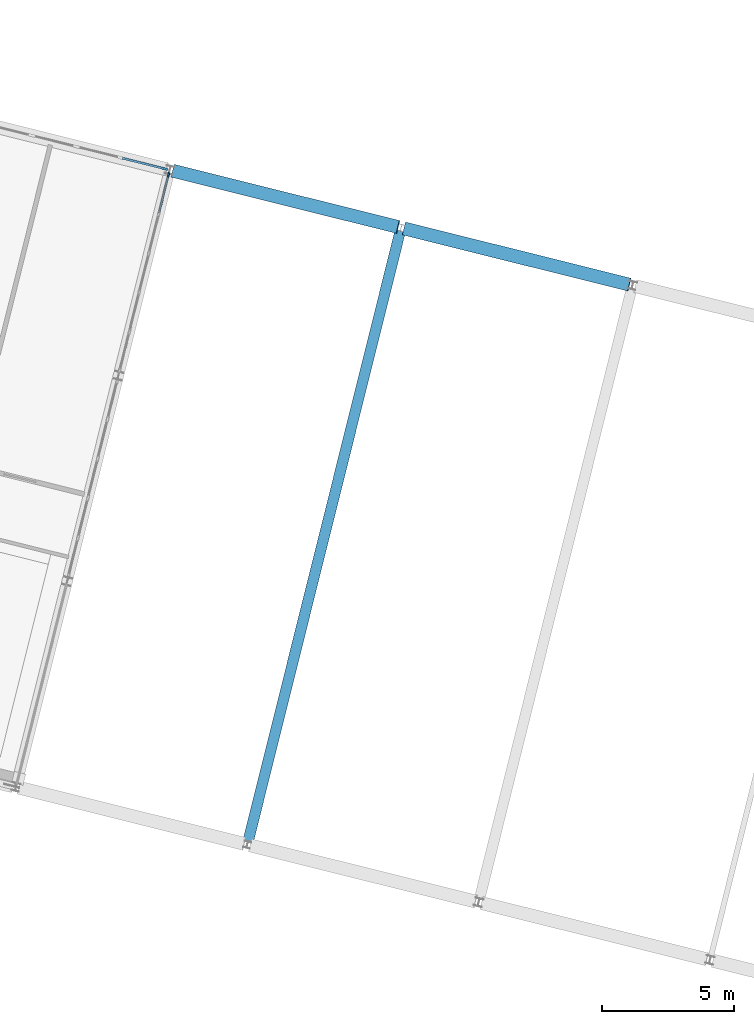
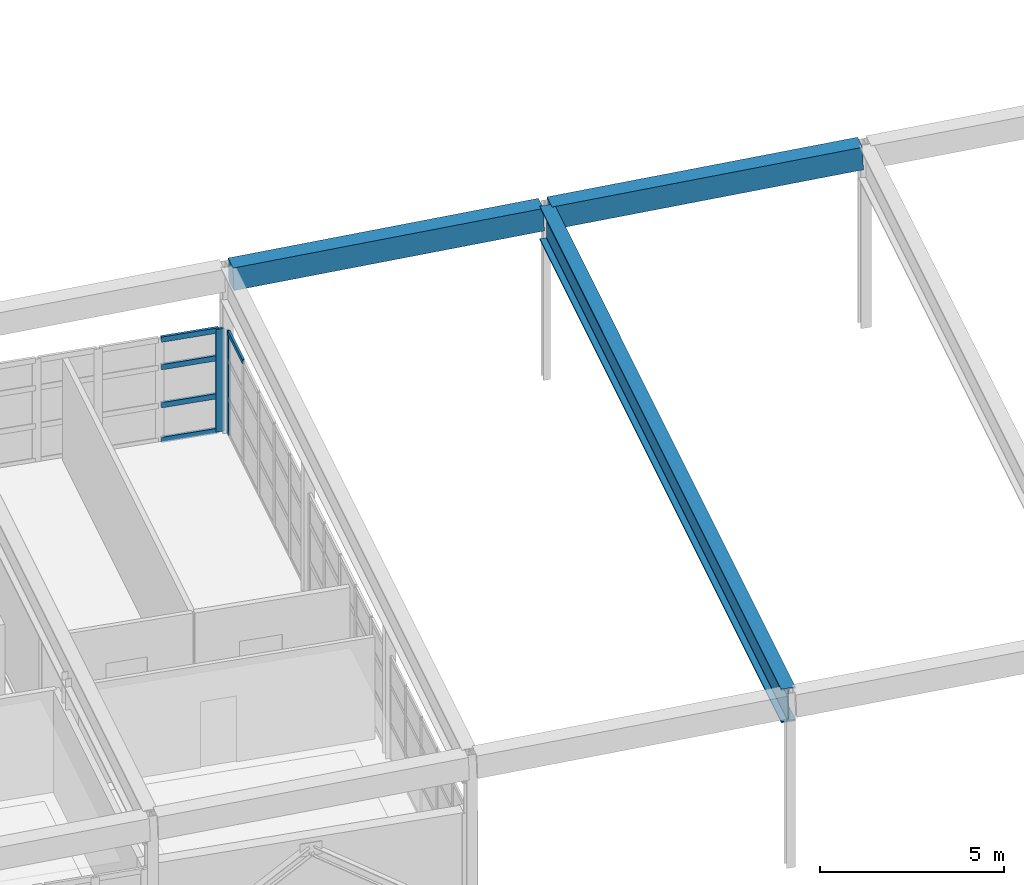
# One storey, part 15 of 27: 7 members, 3 beams, 2 elements without a shape of their own.
"""IFC4 building model written with IfcOpenShell, lengths in metres."""

from ifc_helpers import new_model, si_unit, direction, frame, origin, origin_2d, place, context, subcontext, project, spatial, rectangle, i_section, extrude, material, layer, layer_set, material_profile, profile_set, type_object, element, aggregate, save


model = new_model("IFC4")

# Units and contexts
model_context = context("Model", 3, precision=1e-05, world=origin(), true_north=direction((0.0, 1.0)))
body_context = subcontext(model_context, "Body", "Model", "MODEL_VIEW")
ifc_project = project(units=[si_unit("LENGTHUNIT", "METRE"), si_unit("AREAUNIT", "SQUARE_METRE"), si_unit("VOLUMEUNIT", "CUBIC_METRE"), si_unit("PLANEANGLEUNIT", "RADIAN"), si_unit("MASSUNIT", "GRAM", prefix="KILO")], contexts=[model_context])

# Site, building, storey
site_placement = place(None, origin())
site = spatial("IfcSite", under=ifc_project, at=site_placement, CompositionType="ELEMENT")
building_placement = place(site_placement, origin())
building = spatial("IfcBuilding", under=site, at=building_placement, Name="Vireo Bluff Cable Station", CompositionType="ELEMENT")
storey_placement = place(building_placement, frame((0.0, 0.0, 19.199951171875)))
storey = spatial("IfcBuildingStorey", under=building, at=storey_placement, Name="L04", CompositionType="ELEMENT", Elevation=19.199951171875)

# Curtain wall, member
ifc_material_1 = material(Name="Anodized Aluminium 6063-T6", Category="aluminium")
ifc_layer_1 = layer(ifc_material_1, 0.179931640625, Name="Anodized Aluminium 6063-T6")
ifc_layer_set_1 = layer_set([ifc_layer_1], Name="Anodized Aluminium 6063-T6")
curtain_wall_type_1 = type_object("IfcCurtainWallType", Name="CW-UNIT-1400", PredefinedType="USERDEFINED", material=ifc_layer_set_1)
curtain_wall_1_placement = place(storey_placement, origin())
curtain_wall_1 = element("IfcCurtainWall", 1, at=curtain_wall_1_placement, inside=storey, type_object=curtain_wall_type_1, Name="V1 L04 east curtain wall CW-036", ObjectType="UNITISED CURTAIN WALL", PredefinedType="USERDEFINED")
ifc_material_profile_1 = material_profile(ifc_material_1, rectangle(XDim=0.06494140625, YDim=0.179931640625, at=origin_2d()), Name="ALU-M-65X180")
ifc_profile_set_1 = profile_set([ifc_material_profile_1], Name="Anodized Aluminium 6063-T6")
member_type_1 = type_object("IfcMemberType", Name="CWM-01", PredefinedType="MULLION", material=ifc_profile_set_1)
member_1_placement = place(storey_placement, frame((85.958740234375, 54.57275390625, 0.0), z_axis=(0.0, 0.0, 1.0), x_axis=(0.970295741396, -0.241921834956, 0.0)))
member_1 = element("IfcMember", 2, at=member_1_placement, type_object=member_type_1, Name="CW-036 mullion 1", PredefinedType="MULLION", context=body_context, shape_type="SweptSolid", body=[
    extrude(rectangle(XDim=0.06494140625, YDim=0.179931640625, at=origin_2d()), origin(), (0.0, 0.0, 1.0), 3.400146484375),
])

ifc_layer_2 = layer(ifc_material_1, 0.179931640625, Name="Anodized Aluminium 6063-T6")
ifc_layer_set_2 = layer_set([ifc_layer_2], Name="Anodized Aluminium 6063-T6")
curtain_wall_type_2 = type_object("IfcCurtainWallType", Name="CW-UNIT-1650", PredefinedType="USERDEFINED", material=ifc_layer_set_2)
curtain_wall_2_placement = place(storey_placement, origin())
curtain_wall_2 = element("IfcCurtainWall", 3, at=curtain_wall_2_placement, inside=storey, type_object=curtain_wall_type_2, Name="V1 L04 north curtain wall CW-035", ObjectType="UNITISED CURTAIN WALL", PredefinedType="USERDEFINED")
ifc_material_profile_2 = material_profile(ifc_material_1, rectangle(XDim=0.080078125, YDim=0.239990234375, at=origin_2d()), Name="ALU-M-80X240")
ifc_profile_set_2 = profile_set([ifc_material_profile_2], Name="Anodized Aluminium 6063-T6")
member_type_2 = type_object("IfcMemberType", Name="CWM-04", PredefinedType="MULLION", material=ifc_profile_set_2)
member_2_placement = place(storey_placement, frame((85.8154296875, 54.80224609375, 0.0), z_axis=(0.0, 0.0, 1.0), x_axis=(0.241921878749, 0.970295730477, 0.0)))
member_2 = element("IfcMember", 4, at=member_2_placement, type_object=member_type_2, Name="CW-035 mullion 6", PredefinedType="MULLION", context=body_context, shape_type="SweptSolid", body=[
    extrude(rectangle(XDim=0.080078125, YDim=0.239990234375, at=origin_2d()), origin(), (0.0, 0.0, 1.0), 3.400146484375),
])

# Member
ifc_material_profile_3 = material_profile(ifc_material_1, rectangle(XDim=0.06494140625, YDim=0.139892578125, at=origin_2d()), Name="ALU-T-65X140")
ifc_profile_set_3 = profile_set([ifc_material_profile_3], Name="Anodized Aluminium 6063-T6")
member_type_3 = type_object("IfcMemberType", Name="CWT-01", PredefinedType="USERDEFINED", material=ifc_profile_set_3)
member_3_placement = place(storey_placement, frame((85.95068359375, 54.541259765625, 3.367431640625), z_axis=(-0.241897399777, -0.970301833442, 0.0), x_axis=(0.970301833442, -0.241897399777, 0.0)))
member_3 = element("IfcMember", 5, at=member_3_placement, type_object=member_type_3, Name="CW-036 transom 1.4", ObjectType="TRANSOM", PredefinedType="USERDEFINED", context=body_context, shape_type="SweptSolid", body=[
    extrude(rectangle(XDim=0.06494140625, YDim=0.139892578125, at=origin_2d()), origin(), (0.0, 0.0, 1.0), 1.440185546875),
])

aggregate(curtain_wall_1, [member_1, member_3])

ifc_material_profile_4 = material_profile(ifc_material_1, rectangle(XDim=0.080078125, YDim=0.175048828125, at=origin_2d()), Name="ALU-T-80X175")
ifc_profile_set_4 = profile_set([ifc_material_profile_4], Name="Anodized Aluminium 6063-T6")
member_type_4 = type_object("IfcMemberType", Name="CWT-04", PredefinedType="USERDEFINED", material=ifc_profile_set_4)
member_4_placement = place(storey_placement, frame((84.20654296875, 55.203369140625, 0.0400390625), z_axis=(0.970310896522, -0.241861042937, 0.0), x_axis=(0.241861042937, 0.970310896522, 0.0)))
member_4 = element("IfcMember", 6, at=member_4_placement, type_object=member_type_4, Name="CW-035 transom 5.1", ObjectType="TRANSOM", PredefinedType="USERDEFINED", context=body_context, shape_type="SweptSolid", body=[
    extrude(rectangle(XDim=0.080078125, YDim=0.175048828125, at=origin_2d()), origin(), (0.0, 0.0, 1.0), 1.6181640625),
])

member_5_placement = place(storey_placement, frame((84.20654296875, 55.203369140625, 1.18994140625), z_axis=(0.970310896522, -0.241861042937, 0.0), x_axis=(0.241861042937, 0.970310896522, 0.0)))
member_5 = element("IfcMember", 7, at=member_5_placement, type_object=member_type_4, Name="CW-035 transom 5.2", ObjectType="TRANSOM", PredefinedType="USERDEFINED", context=body_context, shape_type="SweptSolid", body=[
    extrude(rectangle(XDim=0.080078125, YDim=0.175048828125, at=origin_2d()), origin(), (0.0, 0.0, 1.0), 1.6181640625),
])

member_6_placement = place(storey_placement, frame((84.20654296875, 55.203369140625, 2.447998046875), z_axis=(0.970310896522, -0.241861042937, 0.0), x_axis=(0.241861042937, 0.970310896522, 0.0)))
member_6 = element("IfcMember", 8, at=member_6_placement, type_object=member_type_4, Name="CW-035 transom 5.3", ObjectType="TRANSOM", PredefinedType="USERDEFINED", context=body_context, shape_type="SweptSolid", body=[
    extrude(rectangle(XDim=0.080078125, YDim=0.175048828125, at=origin_2d()), origin(), (0.0, 0.0, 1.0), 1.6181640625),
])

member_7_placement = place(storey_placement, frame((84.20654296875, 55.203369140625, 3.360107421875), z_axis=(0.970310896522, -0.241861042937, 0.0), x_axis=(0.241861042937, 0.970310896522, 0.0)))
member_7 = element("IfcMember", 9, at=member_7_placement, type_object=member_type_4, Name="CW-035 transom 5.4", ObjectType="TRANSOM", PredefinedType="USERDEFINED", context=body_context, shape_type="SweptSolid", body=[
    extrude(rectangle(XDim=0.080078125, YDim=0.175048828125, at=origin_2d()), origin(), (0.0, 0.0, 1.0), 1.6181640625),
])

aggregate(curtain_wall_2, [member_2, member_4, member_5, member_6, member_7])

# Beams
ifc_material_2 = material(Name="Steel ASTM A992 Gr. 50", Category="steel")
ifc_material_profile_5 = material_profile(ifc_material_2, i_section(OverallWidth=0.404052734375, OverallDepth=1.117919921875, WebThickness=0.026123046875, FlangeThickness=0.044921875, FilletRadius=0.02197265625, at=origin_2d()), Name="W44X335")
ifc_profile_set_5 = profile_set([ifc_material_profile_5], Name="Steel ASTM A992 Gr. 50")
beam_type_1 = type_object("IfcBeamType", Name="GIR-W44X335", PredefinedType="USERDEFINED", material=ifc_profile_set_5)
beam_placement = place(storey_placement, frame((88.959716796875, 29.4072265625, 5.223876953125), z_axis=(0.241921476637, 0.970295830735, 0.0), x_axis=(-0.970295830735, 0.241921476637, 0.0)))
element("IfcBeam", 10, at=beam_placement, inside=storey, type_object=beam_type_1, Name="V1 L04 beam 351", ObjectType="GIRDER", PredefinedType="USERDEFINED", context=body_context, shape_type="SweptSolid", body=[
    extrude(i_section(OverallWidth=0.404052734375, OverallDepth=1.117919921875, WebThickness=0.026123046875, FlangeThickness=0.044921875, FilletRadius=0.02197265625, at=origin_2d()), origin(), (0.0, 0.0, 1.0), 23.760009765625),
])
ifc_material_3 = material(Name="Concrete f'c 40 MPa", Category="concrete")
ifc_material_profile_6 = material_profile(ifc_material_3, rectangle(XDim=0.5, YDim=0.75, at=origin_2d()), Name="RC-EB-500X750")
ifc_profile_set_6 = profile_set([ifc_material_profile_6], Name="Concrete f'c 40 MPa")
beam_type_2 = type_object("IfcBeamType", Name="RCEB-03", PredefinedType="SPANDREL", material=ifc_profile_set_6)
for number, where, z_axis, x_axis, name in (
    (11, (86.12060546875, 54.72607421875, 5.1220703125), (0.969781723978, -0.241783867992, 0.032618537951), (0.241912595995, 0.970298044881, 0.0), "V1 L04 spandrel 342"),
    (12, (94.853271484375, 52.548828125, 5.407958984375), (0.969782604745, -0.241784087583, 0.032590712266), (0.241912595995, 0.970298044881, 0.0), "V1 L04 spandrel 343"),
):
    element("IfcBeam", number, at=place(storey_placement, frame(where, z_axis=z_axis, x_axis=x_axis)), inside=storey, type_object=beam_type_2, Name=name, PredefinedType="SPANDREL", context=body_context, shape_type="SweptSolid", body=[
        extrude(rectangle(XDim=0.5, YDim=0.75, at=origin_2d()), origin(), (0.0, 0.0, 1.0), 8.7646484375),
    ])

save(model, "model.ifc")
